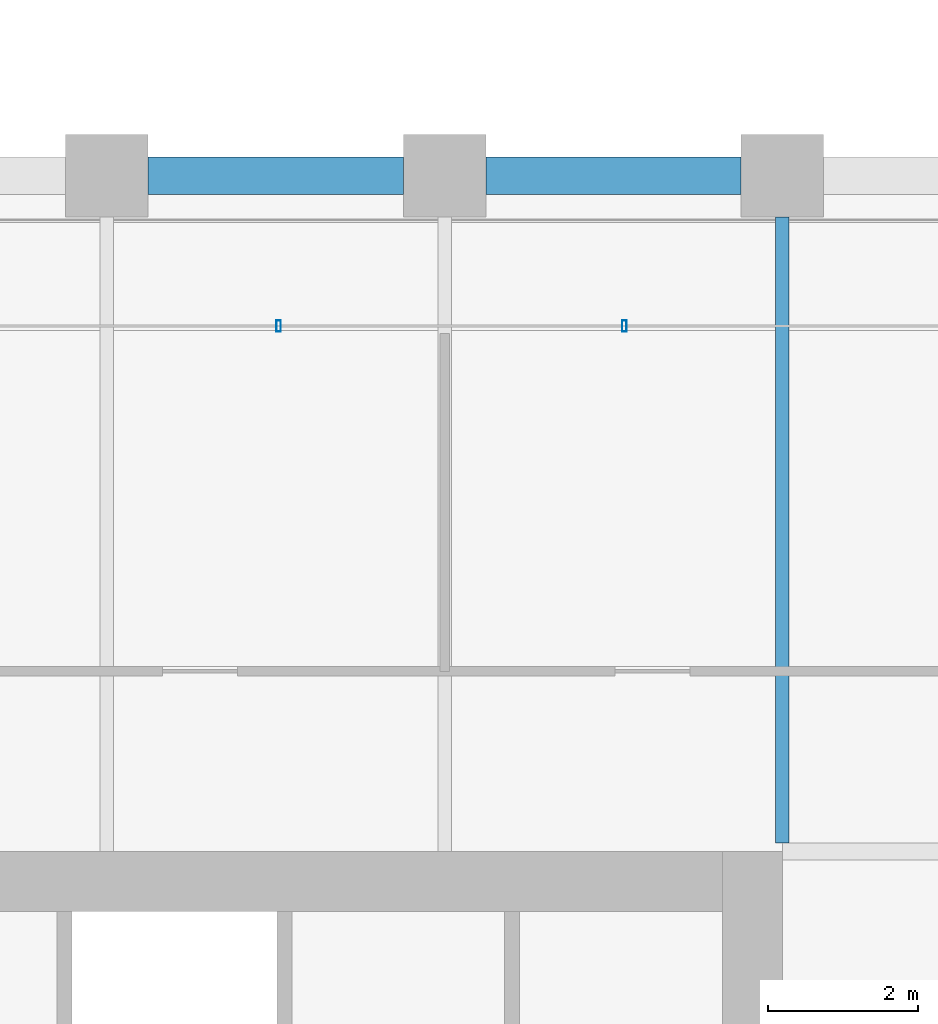
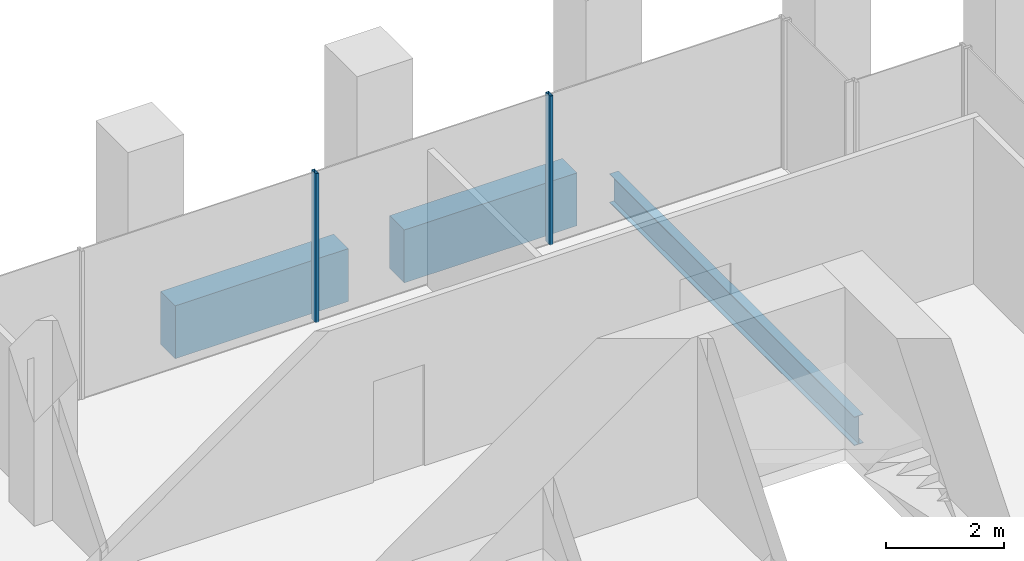
# One storey, part 44 of 56: 3 beams, 2 members, 1 element without a shape of its own.
"""IFC4 building model written with IfcOpenShell, lengths in metres."""

from ifc_helpers import new_model, si_unit, direction, frame, origin, origin_2d, place, context, subcontext, project, spatial, rectangle, hollow_rectangle, i_section, extrude, material, material_profile, profile_set, type_object, element, aggregate, save


model = new_model("IFC4")

# Units and contexts
model_context = context("Model", 3, precision=1e-05, world=origin(), true_north=direction((0.0, 1.0)))
body_context = subcontext(model_context, "Body", "Model", "MODEL_VIEW")
ifc_project = project(units=[si_unit("LENGTHUNIT", "METRE"), si_unit("AREAUNIT", "SQUARE_METRE"), si_unit("VOLUMEUNIT", "CUBIC_METRE"), si_unit("PLANEANGLEUNIT", "RADIAN"), si_unit("MASSUNIT", "GRAM", prefix="KILO")], contexts=[model_context])

# Site, building, storey
site_placement = place(None, origin())
site = spatial("IfcSite", under=ifc_project, at=site_placement, CompositionType="ELEMENT")
building_placement = place(site_placement, origin())
building = spatial("IfcBuilding", under=site, at=building_placement, Name="Altepetl Exchange Towers", CompositionType="ELEMENT")
storey_placement = place(building_placement, frame((0.0, 0.0, 76.199951171875)))
storey = spatial("IfcBuildingStorey", under=building, at=storey_placement, Name="L18", CompositionType="ELEMENT", Elevation=76.199951171875)

# Beam
ifc_material_1 = material(Name="Steel S355", Category="steel")
ifc_material_profile_1 = material_profile(ifc_material_1, i_section(OverallWidth=0.177978515625, OverallDepth=0.59912109375, WebThickness=0.010009765625, FlangeThickness=0.0126953125, at=origin_2d()), Name="W24X55")
ifc_profile_set_1 = profile_set([ifc_material_profile_1], Name="Steel S355")
beam_type_1 = type_object("IfcBeamType", Name="Floor beam W24X55", PredefinedType="BEAM", material=ifc_profile_set_1)
beam_placement = place(storey_placement, frame((117.0, 49.614013671875, -0.449462890625), z_axis=(0.0, 1.0, 0.0), x_axis=(-1.0, 0.0, 0.0)))
element("IfcBeam", 1, at=beam_placement, inside=storey, type_object=beam_type_1, Name="bm:B:L18:002", PredefinedType="BEAM", context=body_context, shape_type="SweptSolid", body=[
    extrude(i_section(OverallWidth=0.177978515625, OverallDepth=0.59912109375, WebThickness=0.010009765625, FlangeThickness=0.0126953125, at=origin_2d()), origin(), (0.0, 0.0, 1.0), 8.3359375),
])

# Curtain wall, members
ifc_material_2 = material(Name="Aluminium 6063-T6 glazing", Category="aluminium")
curtain_wall_type = type_object("IfcCurtainWallType", Name="Loggia glazing system", PredefinedType="NOTDEFINED", material=ifc_material_2)
curtain_wall_placement = place(storey_placement, origin())
curtain_wall = element("IfcCurtainWall", 2, at=curtain_wall_placement, inside=storey, type_object=curtain_wall_type, Name="CW1 run", PredefinedType="NOTDEFINED")
ifc_material_3 = material(Name="Aluminium 6063-T6", Category="aluminium")
ifc_material_profile_2 = material_profile(ifc_material_3, hollow_rectangle(XDim=0.06005859375, YDim=0.14990234375, WallThickness=0.0029296875, at=origin_2d()), Name="Mullion 60x150 aluminium")
ifc_profile_set_2 = profile_set([ifc_material_profile_2], Name="Aluminium 6063-T6")
member_type = type_object("IfcMemberType", Name="Mullion 60x150 aluminium", PredefinedType="MULLION", material=ifc_profile_set_2)
member_1_placement = place(storey_placement, frame((114.893798828125, 56.5, 0.0), z_axis=(0.0, 0.0, 1.0), x_axis=(-1.0, 0.0, 0.0)))
member_1 = element("IfcMember", 3, at=member_1_placement, type_object=member_type, Name="MU1 mullion", PredefinedType="MULLION", context=body_context, shape_type="SweptSolid", body=[
    extrude(hollow_rectangle(XDim=0.06005859375, YDim=0.14990234375, WallThickness=0.0029296875, at=origin_2d()), origin(), (0.0, 0.0, 1.0), 3.10009765625),
])
member_2_placement = place(storey_placement, frame((110.28759765625, 56.5, 0.0), z_axis=(0.0, 0.0, 1.0), x_axis=(-1.0, 0.0, 0.0)))
member_2 = element("IfcMember", 4, at=member_2_placement, type_object=member_type, Name="MU1 mullion", PredefinedType="MULLION", context=body_context, shape_type="SweptSolid", body=[
    extrude(hollow_rectangle(XDim=0.06005859375, YDim=0.14990234375, WallThickness=0.0029296875, at=origin_2d()), origin(), (0.0, 0.0, 1.0), 3.10009765625),
])
aggregate(curtain_wall, [member_1, member_2])

# Beams
ifc_material_4 = material(Name="Concrete C50/60 precast with cantera amarilla facing", Category="concrete")
ifc_material_profile_3 = material_profile(ifc_material_4, rectangle(XDim=0.5, YDim=1.10009765625, at=origin_2d()), Name="500 x 1100")
ifc_profile_set_3 = profile_set([ifc_material_profile_3], Name="Concrete C50/60 precast with cantera amarilla facing")
beam_type_2 = type_object("IfcBeamType", Name="Spandrel beam 500x1100 cantera amarilla", PredefinedType="SPANDREL", material=ifc_profile_set_3)
for number, where, z_axis, x_axis, name in (
    (5, (116.449951171875, 58.5, -0.699951171875), (-1.0, 0.0, 0.0), (0.0, -1.0, 0.0), "sp:B:L18:019"),
    (6, (111.949951171875, 58.5, -0.699951171875), (-1.0, 0.0, 0.0), (0.0, -1.0, 0.0), "sp:B:L18:020"),
):
    element("IfcBeam", number, at=place(storey_placement, frame(where, z_axis=z_axis, x_axis=x_axis)), inside=storey, type_object=beam_type_2, Name=name, PredefinedType="SPANDREL", context=body_context, shape_type="SweptSolid", body=[
        extrude(rectangle(XDim=0.5, YDim=1.10009765625, at=origin_2d()), origin(), (0.0, 0.0, 1.0), 3.39990234375),
    ])

save(model, "model.ifc")
